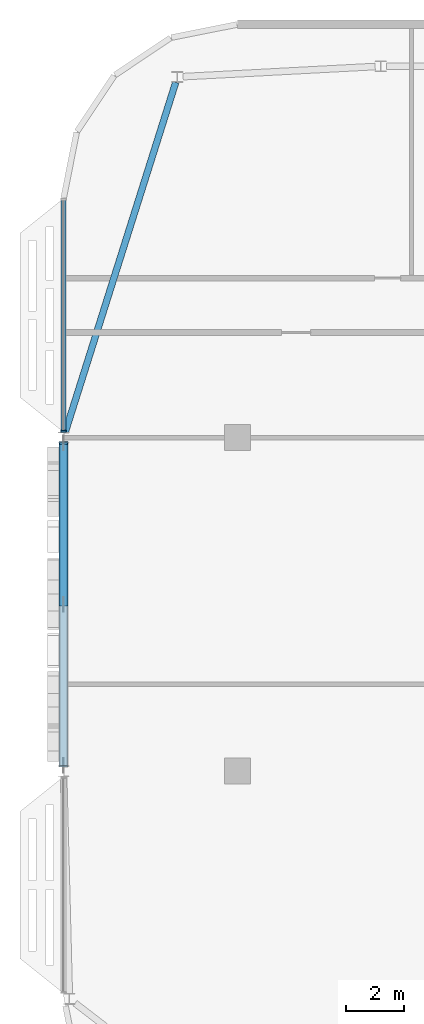
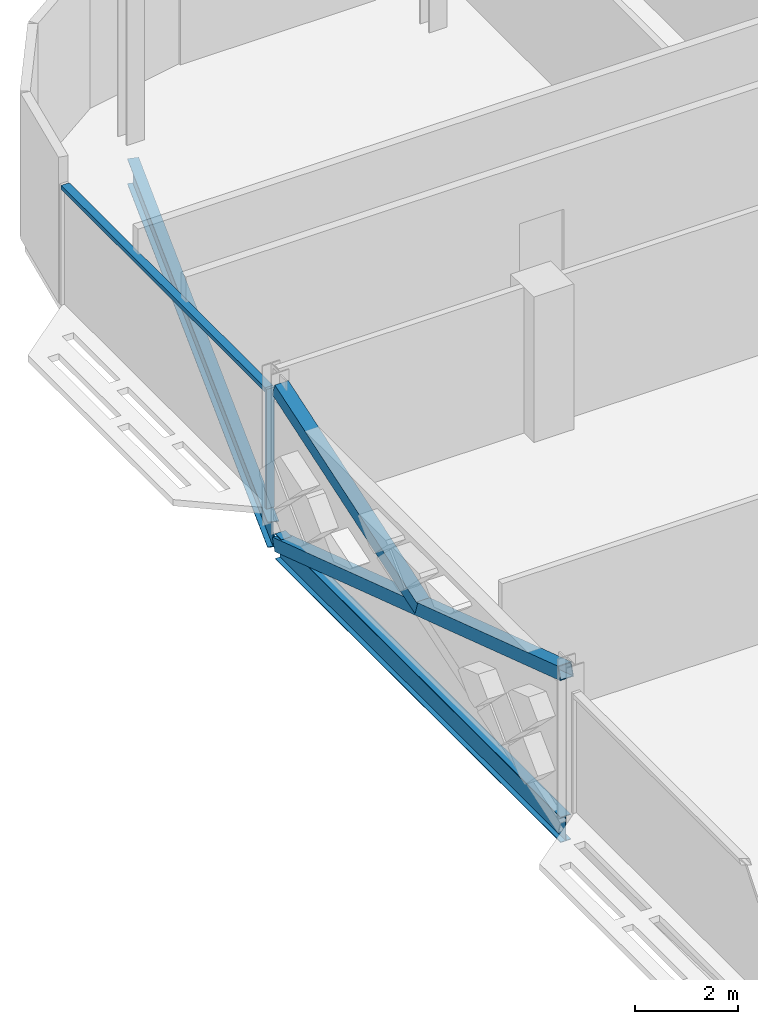
# One storey, part 6 of 28: 4 members, 2 beams, 1 element without a shape of its own.
"""IFC4 building model written with IfcOpenShell, lengths in metres."""

import ifcopenshell
import ifcopenshell.guid

model = None  # the IFC model being written
_history = None  # IfcOwnerHistory: only IFC2X3 demands one
_inside = {}  # id of a spatial element -> (the spatial element, [elements in it])
_under = {}  # id of a project, library or spatial element -> (it, [spatial elements below it])
_declared = {}  # id of a project -> (the project, [libraries it declares])
_typed = {}  # id of a type object -> (the type object, [elements of that type])
_made_of = {}  # id of a material, layer set ... -> (it, [elements and type objects made of it])


def new_model(schema):
    """Start an empty IFC model of exactly this schema.

    Asked for "IFC4X3", IfcOpenShell would pick the latest addendum, in which some entities
    have other attributes; the version numbers below select the first issue.
    IFC2X3 requires an IfcOwnerHistory on every rooted entity: one is made here for all.
    """
    global model, _history
    if schema == "IFC4X3":
        model = ifcopenshell.file(schema_version=(4, 3, 0, 0))
    else:
        model = ifcopenshell.file(schema=schema)
    _inside.clear()
    _under.clear()
    _declared.clear()
    _typed.clear()
    _made_of.clear()
    _history = None
    if model.schema == "IFC2X3":
        org = make("IfcOrganization", Name="unknown")
        user = make(
            "IfcPersonAndOrganization",
            ThePerson=make("IfcPerson", FamilyName="unknown"),
            TheOrganization=org,
        )
        app = make(
            "IfcApplication",
            ApplicationDeveloper=org,
            Version="unknown",
            ApplicationFullName="unknown",
            ApplicationIdentifier="unknown",
        )
        _history = make(
            "IfcOwnerHistory",
            OwningUser=user,
            OwningApplication=app,
            ChangeAction="ADDED",
            CreationDate=0,
        )
    return model


def make(cls, **values):
    """One entity of the class cls with the attributes given. An attribute that is None is left unset."""
    return model.create_entity(
        cls, **{name: value for name, value in values.items() if value is not None}
    )


def rooted(cls, **values):
    """An entity with a GlobalId (a new one), such as an element, a storey or a relation."""
    return make(cls, GlobalId=ifcopenshell.guid.new(), OwnerHistory=_history, **values)


def si_unit(unit_type, name, prefix=None):
    """IfcSIUnit, for example si_unit("LENGTHUNIT", "METRE", prefix="MILLI")."""
    return make("IfcSIUnit", UnitType=unit_type, Prefix=prefix, Name=name)


def assignment(units):
    """IfcUnitAssignment: the units of a project."""
    return None if units is None else make("IfcUnitAssignment", Units=units)


def point(xyz):
    """IfcCartesianPoint."""
    return None if xyz is None else make("IfcCartesianPoint", Coordinates=xyz)


def direction(xyz):
    """IfcDirection."""
    return None if xyz is None else make("IfcDirection", DirectionRatios=xyz)


def frame(location, z_axis=None, x_axis=None):
    """IfcAxis2Placement3D, a coordinate frame: its origin and axes. An axis left out is left unset."""
    return make(
        "IfcAxis2Placement3D",
        Location=point(location),
        Axis=direction(z_axis),
        RefDirection=direction(x_axis),
    )


def frame_2d(location, x_axis=None):
    """IfcAxis2Placement2D, a coordinate frame in the plane: its origin and x axis."""
    return make(
        "IfcAxis2Placement2D", Location=point(location), RefDirection=direction(x_axis)
    )


def origin():
    """The frame at (0, 0, 0) with its axes left unset."""
    return frame((0.0, 0.0, 0.0))


def origin_2d():
    """The frame at (0, 0) in the plane with its x axis left unset."""
    return frame_2d((0.0, 0.0))


def place(relative_to, where):
    """IfcLocalPlacement: puts the frame where relative to a parent placement (None: the world)."""
    return make(
        "IfcLocalPlacement", PlacementRelTo=relative_to, RelativePlacement=where
    )


def context(
    kind, dimensions, precision=None, world=None, true_north=None, identifier=None
):
    """IfcGeometricRepresentationContext, for example the 3D "Model" context."""
    return make(
        "IfcGeometricRepresentationContext",
        ContextIdentifier=identifier,
        ContextType=kind,
        CoordinateSpaceDimension=dimensions,
        Precision=precision,
        WorldCoordinateSystem=world,
        TrueNorth=true_north,
    )


def subcontext(parent, identifier, kind, view, scale=None):
    """IfcGeometricRepresentationSubContext, for example "Body" below "Model"."""
    return make(
        "IfcGeometricRepresentationSubContext",
        ContextIdentifier=identifier,
        ContextType=kind,
        ParentContext=parent,
        TargetScale=scale,
        TargetView=view,
    )


def project(units=None, contexts=None):
    """IfcProject with its units and contexts."""
    return rooted(
        "IfcProject",
        Name="project",
        RepresentationContexts=contexts,
        UnitsInContext=assignment(units),
    )


def spatial(cls, under=None, at=None, **own):
    """A site, building, storey or space (cls), placed at a placement, below another one or the project."""
    s = rooted(cls, ObjectPlacement=at, **own)
    if under is not None:
        _under.setdefault(under.id(), (under, []))[1].append(s)
    return s


def profile(cls, at=None, kind="AREA", **sizes):
    """A parametric profile (cls). Its sizes go by their IFC names, for example OverallWidth=200.0."""
    return make(cls, ProfileType=kind, Position=at, **sizes)


def rectangle(**sizes):
    """IfcRectangleProfileDef."""
    return profile("IfcRectangleProfileDef", **sizes)


def hollow_rectangle(**sizes):
    """IfcRectangleHollowProfileDef."""
    return profile("IfcRectangleHollowProfileDef", **sizes)


def i_section(**sizes):
    """IfcIShapeProfileDef."""
    return profile("IfcIShapeProfileDef", **sizes)


def extrude(swept, where, along, depth):
    """IfcExtrudedAreaSolid: the profile swept, set in the frame where, extruded along a direction by depth."""
    return make(
        "IfcExtrudedAreaSolid",
        SweptArea=swept,
        Position=where,
        ExtrudedDirection=direction(along),
        Depth=depth,
    )


def shape(context_of_items, identifier, shape_type, items):
    """IfcShapeRepresentation: the items that make up one representation, for example the "Body"."""
    return make(
        "IfcShapeRepresentation",
        ContextOfItems=context_of_items,
        RepresentationIdentifier=identifier,
        RepresentationType=shape_type,
        Items=items,
    )


def material(Name=None, Category=None):
    """IfcMaterial."""
    return make("IfcMaterial", Name=Name, Category=Category)


def material_profile(
    of_material, cross_section, Name=None, Category=None, Priority=None
):
    """IfcMaterialProfile: a cross section and its material."""
    return make(
        "IfcMaterialProfile",
        Name=Name,
        Material=of_material,
        Profile=cross_section,
        Priority=Priority,
        Category=Category,
    )


def profile_set(profiles, Name=None, composite=None):
    """IfcMaterialProfileSet."""
    return make(
        "IfcMaterialProfileSet",
        Name=Name,
        MaterialProfiles=profiles,
        CompositeProfile=composite,
    )


def made_of(thing, what):
    """Note that an element or type object is made of a material, layer set ...; save() writes the relation."""
    if what is not None:
        _made_of.setdefault(what.id(), (what, []))[1].append(thing)
    return thing


def type_object(cls, material=None, **own):
    """A type object (cls), such as IfcWallType, which elements share."""
    return made_of(rooted(cls, **own), material)


def element(
    cls,
    number,
    at=None,
    inside=None,
    cuts=None,
    type_object=None,
    material=None,
    context=None,
    identifier="Body",
    shape_type=None,
    held_by="IfcProductDefinitionShape",
    body=None,
    shapes=None,
    **own,
):
    """One element of the class cls, such as IfcWall. Its Tag is "e" and its number.

    at: its placement. inside: the storey or other place that contains it. cuts: it is an
    opening in that element (IfcRelVoidsElement). A single representation is given by context,
    identifier, shape_type and body (its items); several are given by shapes. held_by: the class
    of the entity that holds the representations. save() writes the other relations.
    """
    e = rooted(cls, Tag="e%d" % number, ObjectPlacement=at, **own)
    if body is not None:
        shapes = [shape(context, identifier, shape_type, body)]
    if shapes is not None:
        e.Representation = make(held_by, Representations=shapes)
    if inside is not None:
        _inside.setdefault(inside.id(), (inside, []))[1].append(e)
    if cuts is not None:
        rooted(
            "IfcRelVoidsElement", RelatingBuildingElement=cuts, RelatedOpeningElement=e
        )
    if type_object is not None:
        _typed.setdefault(type_object.id(), (type_object, []))[1].append(e)
    return made_of(e, material)


def aggregate(whole, parts):
    """IfcRelAggregates: a whole, such as a stair, and the parts it consists of."""
    return rooted("IfcRelAggregates", RelatingObject=whole, RelatedObjects=parts)


def save(model, path):
    """Write the relations noted so far, then the file.

    IfcRelAggregates (storeys below a building ...), IfcRelContainedInSpatialStructure (elements
    in a storey), IfcRelDefinesByType, IfcRelAssociatesMaterial and IfcRelDeclares: one each for
    every whole, place, type object, material and project.
    """
    for whole, parts in _under.values():
        aggregate(whole, parts)
    for where, things in _inside.values():
        rooted(
            "IfcRelContainedInSpatialStructure",
            RelatedElements=things,
            RelatingStructure=where,
        )
    for kind, things in _typed.values():
        rooted("IfcRelDefinesByType", RelatedObjects=things, RelatingType=kind)
    for what, things in _made_of.values():
        rooted("IfcRelAssociatesMaterial", RelatedObjects=things, RelatingMaterial=what)
    for by, libraries in _declared.values():
        rooted("IfcRelDeclares", RelatingContext=by, RelatedDefinitions=libraries)
    model.write(path)


model = new_model("IFC4")

# Units and contexts
model_context = context("Model", 3, precision=1e-05, world=origin(), true_north=direction((0.0, 1.0)))
body_context = subcontext(model_context, "Body", "Model", "MODEL_VIEW")
ifc_project = project(units=[si_unit("LENGTHUNIT", "METRE"), si_unit("AREAUNIT", "SQUARE_METRE"), si_unit("VOLUMEUNIT", "CUBIC_METRE"), si_unit("PLANEANGLEUNIT", "RADIAN"), si_unit("MASSUNIT", "GRAM", prefix="KILO")], contexts=[model_context])

# Site, building, storey
site_placement = place(None, origin())
site = spatial("IfcSite", under=ifc_project, at=site_placement, CompositionType="ELEMENT")
building_placement = place(site_placement, origin())
building = spatial("IfcBuilding", under=site, at=building_placement, Name="Mahtab Terrace Research Tower", CompositionType="ELEMENT")
storey_placement = place(building_placement, frame((0.0, 0.0, 267.10009765625)))
storey = spatial("IfcBuildingStorey", under=building, at=storey_placement, Name="L65", CompositionType="ELEMENT", Elevation=267.10009765625)

# Members
ifc_material_1 = material(Name="Steel ASTM A500 Gr C", Category="steel")
ifc_material_profile_1 = material_profile(ifc_material_1, hollow_rectangle(XDim=0.3046875, YDim=0.3046875, WallThickness=0.015869140625, at=origin_2d()), Name="HSS12X12X5/8")
ifc_profile_set_1 = profile_set([ifc_material_profile_1], Name="Steel ASTM A500 Gr C")
member_type_1 = type_object("IfcMemberType", Name="HSS 12x12x5/8 brace XB121258", PredefinedType="BRACE", material=ifc_profile_set_1)
member_1_placement = place(storey_placement, frame((-48.0, 11.31201171875, -0.58154296875), z_axis=(0.0, -0.949505289695, 0.313751023651), x_axis=(1.0, 0.0, 0.0)))
element("IfcMember", 1, at=member_1_placement, inside=storey, type_object=member_type_1, Name="Exoskeleton brace L65 11 a", PredefinedType="BRACE", context=body_context, shape_type="SweptSolid", body=[
    extrude(hollow_rectangle(XDim=0.3046875, YDim=0.3046875, WallThickness=0.015869140625, at=origin_2d()), origin(), (0.0, 0.0, 1.0), 11.715576171875),
])
member_2_placement = place(storey_placement, frame((-48.0, 5.75, 1.25634765625), z_axis=(0.0, 0.949505289695, 0.313751023651), x_axis=(-1.0, 0.0, 0.0)))
element("IfcMember", 2, at=member_2_placement, inside=storey, type_object=member_type_1, Name="Exoskeleton brace L65 11 b2", PredefinedType="BRACE", context=body_context, shape_type="SweptSolid", body=[
    extrude(hollow_rectangle(XDim=0.3046875, YDim=0.3046875, WallThickness=0.015869140625, at=origin_2d()), origin(), (0.0, 0.0, 1.0), 5.85791015625),
])

# Curtain wall, members
ifc_material_2 = material(Name="Office ribbon curtain wall")
curtain_wall_type = type_object("IfcCurtainWallType", Name="Office ribbon curtain wall", PredefinedType="NOTDEFINED", material=ifc_material_2)
curtain_wall_placement = place(storey_placement, origin())
curtain_wall = element("IfcCurtainWall", 3, at=curtain_wall_placement, inside=storey, type_object=curtain_wall_type, Name="EN.L65.8.8", PredefinedType="NOTDEFINED")
ifc_material_3 = material(Name="Natural anodised aluminium", Category="aluminium")
ifc_material_profile_2 = material_profile(ifc_material_3, rectangle(XDim=0.179931640625, YDim=0.06005859375, at=origin_2d()), Name="MULLION 60x180")
ifc_profile_set_2 = profile_set([ifc_material_profile_2], Name="Natural anodised aluminium")
member_type_2 = type_object("IfcMemberType", Name="Office ribbon curtain wall mullion", PredefinedType="MULLION", material=ifc_profile_set_2)
member_3_placement = place(storey_placement, frame((-48.0, 11.718017578125, 0.0), z_axis=(0.0, 0.0, 1.0), x_axis=(1.0, 0.0, 0.0)))
member_3 = element("IfcMember", 4, at=member_3_placement, type_object=member_type_2, Name="CWO-8 mullion 2", PredefinedType="MULLION", context=body_context, shape_type="SweptSolid", body=[
    extrude(rectangle(XDim=0.179931640625, YDim=0.06005859375, at=origin_2d()), origin(), (0.0, 0.0, 1.0), 2.852783203125),
])
ifc_material_profile_3 = material_profile(ifc_material_3, rectangle(XDim=0.179931640625, YDim=0.10009765625, at=origin_2d()), Name="TRANSOM 100x180")
ifc_profile_set_3 = profile_set([ifc_material_profile_3], Name="Natural anodised aluminium")
member_type_3 = type_object("IfcMemberType", Name="Office ribbon curtain wall transom", PredefinedType="USERDEFINED", material=ifc_profile_set_3)
member_4_placement = place(storey_placement, frame((-48.0, 19.69091796875, 2.802734375), z_axis=(0.0, -1.0, 0.0), x_axis=(1.0, 0.0, 0.0)))
member_4 = element("IfcMember", 5, at=member_4_placement, type_object=member_type_3, Name="CWO-8 transom 1", ObjectType="TRANSOM", PredefinedType="USERDEFINED", context=body_context, shape_type="SweptSolid", body=[
    extrude(rectangle(XDim=0.179931640625, YDim=0.10009765625, at=origin_2d()), origin(), (0.0, 0.0, 1.0), 7.94287109375),
])
aggregate(curtain_wall, [member_3, member_4])

# Beams
ifc_material_4 = material(Name="Steel ASTM A992 Gr 50", Category="steel")
ifc_material_profile_4 = material_profile(ifc_material_4, i_section(OverallWidth=0.228271484375, OverallDepth=0.607177734375, WebThickness=0.01123046875, FlangeThickness=0.017333984375, at=origin_2d()), Name="W24X76")
ifc_profile_set_4 = profile_set([ifc_material_profile_4], Name="Steel ASTM A992 Gr 50")
beam_type = type_object("IfcBeamType", Name="W24x76 beam BS2476", PredefinedType="BEAM", material=ifc_profile_set_4)
beam_1_placement = place(storey_placement, frame((-44.13134765625, 23.7490234375, -0.6435546875), z_axis=(-0.301172937978, -0.953569536756, 0.0), x_axis=(0.953569536756, -0.301172937978, 0.0)))
element("IfcBeam", 6, at=beam_1_placement, inside=storey, type_object=beam_type, Name="Spandrel beam L65 10", PredefinedType="BEAM", context=body_context, shape_type="SweptSolid", body=[
    extrude(i_section(OverallWidth=0.228271484375, OverallDepth=0.607177734375, WebThickness=0.01123046875, FlangeThickness=0.017333984375, at=origin_2d()), origin(), (0.0, 0.0, 1.0), 12.648193359375),
])
beam_2_placement = place(storey_placement, frame((-48.0, 11.31201171875, -0.6435546875), z_axis=(0.0, -1.0, 0.0), x_axis=(1.0, 0.0, 0.0)))
element("IfcBeam", 7, at=beam_2_placement, inside=storey, type_object=beam_type, Name="Spandrel beam L65 11", PredefinedType="BEAM", context=body_context, shape_type="SweptSolid", body=[
    extrude(i_section(OverallWidth=0.228271484375, OverallDepth=0.607177734375, WebThickness=0.01123046875, FlangeThickness=0.017333984375, at=origin_2d()), origin(), (0.0, 0.0, 1.0), 11.1240234375),
])

save(model, "model.ifc")
